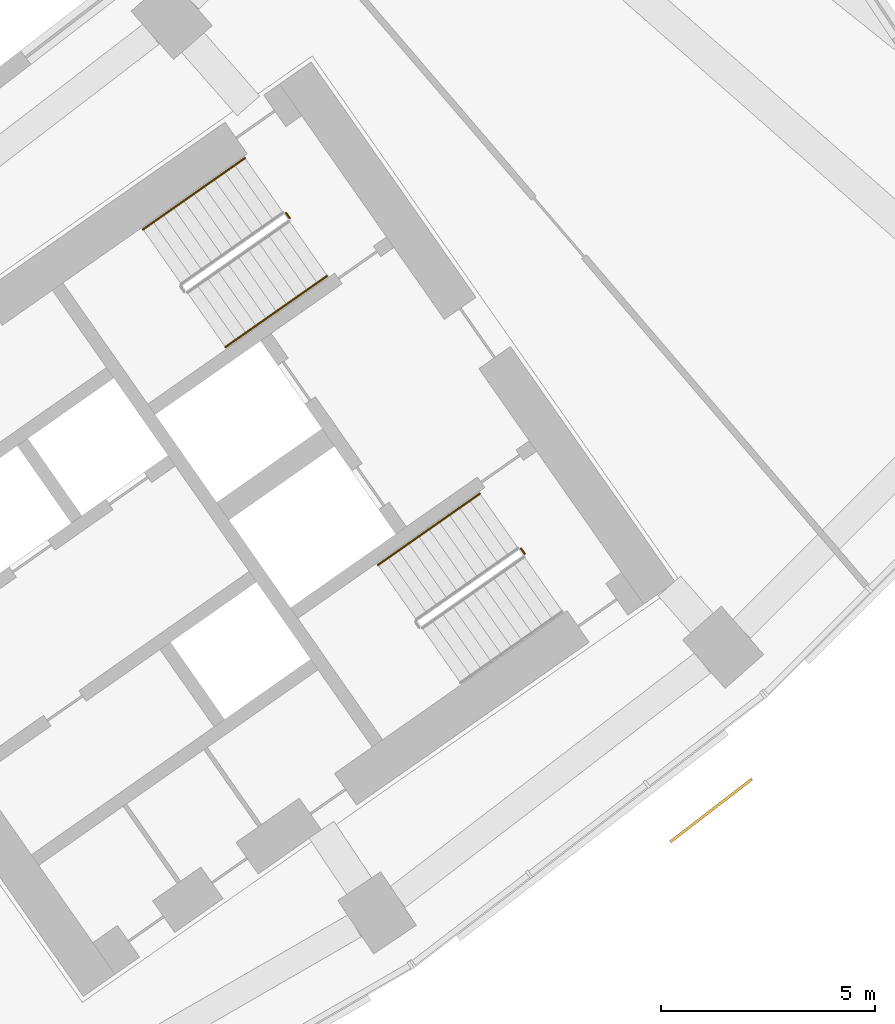
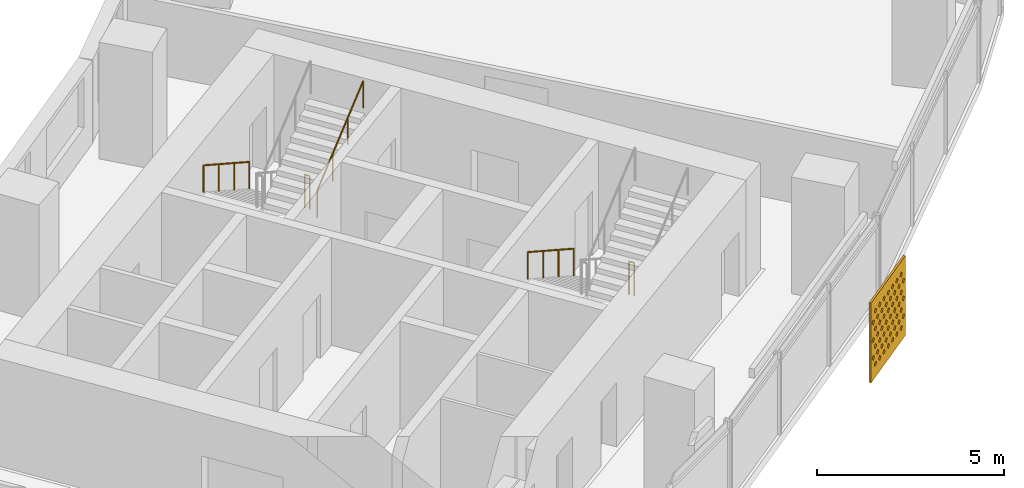
# One storey, part 29 of 29: 5 railings, 1 shading device.
"""IFC4 building model written with IfcOpenShell, lengths in metres."""

from ifc_helpers import new_model, si_unit, direction, frame, origin, origin_2d, place, context, subcontext, project, spatial, polyline, circle, outline, extrude, material, material_profile, profile_set, type_object, element, save


model = new_model("IFC4")

# Units and contexts
model_context = context("Model", 3, precision=1e-05, world=origin(), true_north=direction((0.0, 1.0)))
body_context = subcontext(model_context, "Body", "Model", "MODEL_VIEW")
ifc_project = project(units=[si_unit("LENGTHUNIT", "METRE"), si_unit("AREAUNIT", "SQUARE_METRE"), si_unit("VOLUMEUNIT", "CUBIC_METRE"), si_unit("PLANEANGLEUNIT", "RADIAN"), si_unit("MASSUNIT", "GRAM", prefix="KILO")], contexts=[model_context])

# Site, building, storey
site_placement = place(None, origin())
site = spatial("IfcSite", under=ifc_project, at=site_placement, CompositionType="ELEMENT")
building_placement = place(site_placement, origin())
building = spatial("IfcBuilding", under=site, at=building_placement, Name="Qamariyya Broadcast Tower", CompositionType="ELEMENT")
storey_placement = place(building_placement, frame((0.0, 0.0, 136.699951171875)))
storey = spatial("IfcBuildingStorey", under=building, at=storey_placement, Name="L31", CompositionType="ELEMENT", Elevation=136.699951171875)

# Shading device
ifc_material_1 = material(Name="Perforated glazed terracotta", Category="masonry")
ifc_material_profile = material_profile(ifc_material_1, outline(polyline([(-1.199951171875, -1.300048828125), (1.199951171875, -1.300048828125), (1.199951171875, 1.300048828125), (-1.199951171875, 1.300048828125), (-1.199951171875, -1.300048828125)]), holes=[polyline([(-0.81494140625, -0.86669921875), (-0.89990234375, -0.78173828125), (-0.985107421875, -0.86669921875), (-0.89990234375, -0.95166015625), (-0.81494140625, -0.86669921875)]), polyline([(-0.514892578125, -0.86669921875), (-0.60009765625, -0.78173828125), (-0.68505859375, -0.86669921875), (-0.60009765625, -0.95166015625), (-0.514892578125, -0.86669921875)]), polyline([(-0.215087890625, -0.86669921875), (-0.300048828125, -0.78173828125), (-0.385009765625, -0.86669921875), (-0.300048828125, -0.95166015625), (-0.215087890625, -0.86669921875)]), polyline([(0.0849609375, -0.86669921875), (0.0, -0.78173828125), (-0.0849609375, -0.86669921875), (0.0, -0.95166015625), (0.0849609375, -0.86669921875)]), polyline([(0.385009765625, -0.86669921875), (0.300048828125, -0.78173828125), (0.215087890625, -0.86669921875), (0.300048828125, -0.95166015625), (0.385009765625, -0.86669921875)]), polyline([(0.68505859375, -0.86669921875), (0.60009765625, -0.78173828125), (0.514892578125, -0.86669921875), (0.60009765625, -0.95166015625), (0.68505859375, -0.86669921875)]), polyline([(0.985107421875, -0.86669921875), (0.89990234375, -0.78173828125), (0.81494140625, -0.86669921875), (0.89990234375, -0.95166015625), (0.985107421875, -0.86669921875)]), polyline([(-0.965087890625, -0.577880859375), (-1.050048828125, -0.49267578125), (-1.135009765625, -0.577880859375), (-1.050048828125, -0.662841796875), (-0.965087890625, -0.577880859375)]), polyline([(-0.6650390625, -0.577880859375), (-0.75, -0.49267578125), (-0.8349609375, -0.577880859375), (-0.75, -0.662841796875), (-0.6650390625, -0.577880859375)]), polyline([(-0.364990234375, -0.577880859375), (-0.449951171875, -0.49267578125), (-0.534912109375, -0.577880859375), (-0.449951171875, -0.662841796875), (-0.364990234375, -0.577880859375)]), polyline([(-0.06494140625, -0.577880859375), (-0.14990234375, -0.49267578125), (-0.235107421875, -0.577880859375), (-0.14990234375, -0.662841796875), (-0.06494140625, -0.577880859375)]), polyline([(0.235107421875, -0.577880859375), (0.14990234375, -0.49267578125), (0.06494140625, -0.577880859375), (0.14990234375, -0.662841796875), (0.235107421875, -0.577880859375)]), polyline([(0.534912109375, -0.577880859375), (0.449951171875, -0.49267578125), (0.364990234375, -0.577880859375), (0.449951171875, -0.662841796875), (0.534912109375, -0.577880859375)]), polyline([(0.8349609375, -0.577880859375), (0.75, -0.49267578125), (0.6650390625, -0.577880859375), (0.75, -0.662841796875), (0.8349609375, -0.577880859375)]), polyline([(1.135009765625, -0.577880859375), (1.050048828125, -0.49267578125), (0.965087890625, -0.577880859375), (1.050048828125, -0.662841796875), (1.135009765625, -0.577880859375)]), polyline([(-0.81494140625, -0.288818359375), (-0.89990234375, -0.203857421875), (-0.985107421875, -0.288818359375), (-0.89990234375, -0.373779296875), (-0.81494140625, -0.288818359375)]), polyline([(-0.514892578125, -0.288818359375), (-0.60009765625, -0.203857421875), (-0.68505859375, -0.288818359375), (-0.60009765625, -0.373779296875), (-0.514892578125, -0.288818359375)]), polyline([(-0.215087890625, -0.288818359375), (-0.300048828125, -0.203857421875), (-0.385009765625, -0.288818359375), (-0.300048828125, -0.373779296875), (-0.215087890625, -0.288818359375)]), polyline([(0.0849609375, -0.288818359375), (0.0, -0.203857421875), (-0.0849609375, -0.288818359375), (0.0, -0.373779296875), (0.0849609375, -0.288818359375)]), polyline([(0.385009765625, -0.288818359375), (0.300048828125, -0.203857421875), (0.215087890625, -0.288818359375), (0.300048828125, -0.373779296875), (0.385009765625, -0.288818359375)]), polyline([(0.68505859375, -0.288818359375), (0.60009765625, -0.203857421875), (0.514892578125, -0.288818359375), (0.60009765625, -0.373779296875), (0.68505859375, -0.288818359375)]), polyline([(0.985107421875, -0.288818359375), (0.89990234375, -0.203857421875), (0.81494140625, -0.288818359375), (0.89990234375, -0.373779296875), (0.985107421875, -0.288818359375)]), polyline([(-0.965087890625, 0.0), (-1.050048828125, 0.0849609375), (-1.135009765625, 0.0), (-1.050048828125, -0.0849609375), (-0.965087890625, 0.0)]), polyline([(-0.6650390625, 0.0), (-0.75, 0.0849609375), (-0.8349609375, 0.0), (-0.75, -0.0849609375), (-0.6650390625, 0.0)]), polyline([(-0.364990234375, 0.0), (-0.449951171875, 0.0849609375), (-0.534912109375, 0.0), (-0.449951171875, -0.0849609375), (-0.364990234375, 0.0)]), polyline([(-0.06494140625, 0.0), (-0.14990234375, 0.0849609375), (-0.235107421875, 0.0), (-0.14990234375, -0.0849609375), (-0.06494140625, 0.0)]), polyline([(0.235107421875, 0.0), (0.14990234375, 0.0849609375), (0.06494140625, 0.0), (0.14990234375, -0.0849609375), (0.235107421875, 0.0)]), polyline([(0.534912109375, 0.0), (0.449951171875, 0.0849609375), (0.364990234375, 0.0), (0.449951171875, -0.0849609375), (0.534912109375, 0.0)]), polyline([(0.8349609375, 0.0), (0.75, 0.0849609375), (0.6650390625, 0.0), (0.75, -0.0849609375), (0.8349609375, 0.0)]), polyline([(1.135009765625, 0.0), (1.050048828125, 0.0849609375), (0.965087890625, 0.0), (1.050048828125, -0.0849609375), (1.135009765625, 0.0)]), polyline([(-0.81494140625, 0.288818359375), (-0.89990234375, 0.373779296875), (-0.985107421875, 0.288818359375), (-0.89990234375, 0.203857421875), (-0.81494140625, 0.288818359375)]), polyline([(-0.514892578125, 0.288818359375), (-0.60009765625, 0.373779296875), (-0.68505859375, 0.288818359375), (-0.60009765625, 0.203857421875), (-0.514892578125, 0.288818359375)]), polyline([(-0.215087890625, 0.288818359375), (-0.300048828125, 0.373779296875), (-0.385009765625, 0.288818359375), (-0.300048828125, 0.203857421875), (-0.215087890625, 0.288818359375)]), polyline([(0.0849609375, 0.288818359375), (0.0, 0.373779296875), (-0.0849609375, 0.288818359375), (0.0, 0.203857421875), (0.0849609375, 0.288818359375)]), polyline([(0.385009765625, 0.288818359375), (0.300048828125, 0.373779296875), (0.215087890625, 0.288818359375), (0.300048828125, 0.203857421875), (0.385009765625, 0.288818359375)]), polyline([(0.68505859375, 0.288818359375), (0.60009765625, 0.373779296875), (0.514892578125, 0.288818359375), (0.60009765625, 0.203857421875), (0.68505859375, 0.288818359375)]), polyline([(0.985107421875, 0.288818359375), (0.89990234375, 0.373779296875), (0.81494140625, 0.288818359375), (0.89990234375, 0.203857421875), (0.985107421875, 0.288818359375)]), polyline([(-0.965087890625, 0.577880859375), (-1.050048828125, 0.662841796875), (-1.135009765625, 0.577880859375), (-1.050048828125, 0.49267578125), (-0.965087890625, 0.577880859375)]), polyline([(-0.6650390625, 0.577880859375), (-0.75, 0.662841796875), (-0.8349609375, 0.577880859375), (-0.75, 0.49267578125), (-0.6650390625, 0.577880859375)]), polyline([(-0.364990234375, 0.577880859375), (-0.449951171875, 0.662841796875), (-0.534912109375, 0.577880859375), (-0.449951171875, 0.49267578125), (-0.364990234375, 0.577880859375)]), polyline([(-0.06494140625, 0.577880859375), (-0.14990234375, 0.662841796875), (-0.235107421875, 0.577880859375), (-0.14990234375, 0.49267578125), (-0.06494140625, 0.577880859375)]), polyline([(0.235107421875, 0.577880859375), (0.14990234375, 0.662841796875), (0.06494140625, 0.577880859375), (0.14990234375, 0.49267578125), (0.235107421875, 0.577880859375)]), polyline([(0.534912109375, 0.577880859375), (0.449951171875, 0.662841796875), (0.364990234375, 0.577880859375), (0.449951171875, 0.49267578125), (0.534912109375, 0.577880859375)]), polyline([(0.8349609375, 0.577880859375), (0.75, 0.662841796875), (0.6650390625, 0.577880859375), (0.75, 0.49267578125), (0.8349609375, 0.577880859375)]), polyline([(1.135009765625, 0.577880859375), (1.050048828125, 0.662841796875), (0.965087890625, 0.577880859375), (1.050048828125, 0.49267578125), (1.135009765625, 0.577880859375)]), polyline([(-0.81494140625, 0.86669921875), (-0.89990234375, 0.95166015625), (-0.985107421875, 0.86669921875), (-0.89990234375, 0.78173828125), (-0.81494140625, 0.86669921875)]), polyline([(-0.514892578125, 0.86669921875), (-0.60009765625, 0.95166015625), (-0.68505859375, 0.86669921875), (-0.60009765625, 0.78173828125), (-0.514892578125, 0.86669921875)]), polyline([(-0.215087890625, 0.86669921875), (-0.300048828125, 0.95166015625), (-0.385009765625, 0.86669921875), (-0.300048828125, 0.78173828125), (-0.215087890625, 0.86669921875)]), polyline([(0.0849609375, 0.86669921875), (0.0, 0.95166015625), (-0.0849609375, 0.86669921875), (0.0, 0.78173828125), (0.0849609375, 0.86669921875)]), polyline([(0.385009765625, 0.86669921875), (0.300048828125, 0.95166015625), (0.215087890625, 0.86669921875), (0.300048828125, 0.78173828125), (0.385009765625, 0.86669921875)]), polyline([(0.68505859375, 0.86669921875), (0.60009765625, 0.95166015625), (0.514892578125, 0.86669921875), (0.60009765625, 0.78173828125), (0.68505859375, 0.86669921875)]), polyline([(0.985107421875, 0.86669921875), (0.89990234375, 0.95166015625), (0.81494140625, 0.86669921875), (0.89990234375, 0.78173828125), (0.985107421875, 0.86669921875)])]))
ifc_profile_set = profile_set([ifc_material_profile], Name="Perforated glazed terracotta")
shading_device_type = type_object("IfcShadingDeviceType", Name="Perforated terracotta screen 2400 x 2600", PredefinedType="USERDEFINED", material=ifc_profile_set)
shading_device_placement = place(storey_placement, frame((50.96484375, -62.235595703125, 1.35009765625), z_axis=(0.60971076085, -0.792623989105, 0.0), x_axis=(0.792623989105, 0.60971076085, 0.0)))
element("IfcShadingDevice", 1, at=shading_device_placement, inside=storey, type_object=shading_device_type, Name="e-scr-L31-14-2", ObjectType="SCREEN", PredefinedType="USERDEFINED", context=body_context, shape_type="SweptSolid", body=[
    extrude(outline(polyline([(-1.199951171875, -1.300048828125), (1.199951171875, -1.300048828125), (1.199951171875, 1.300048828125), (-1.199951171875, 1.300048828125), (-1.199951171875, -1.300048828125)]), holes=[polyline([(-0.81494140625, -0.86669921875), (-0.89990234375, -0.78173828125), (-0.985107421875, -0.86669921875), (-0.89990234375, -0.95166015625), (-0.81494140625, -0.86669921875)]), polyline([(-0.514892578125, -0.86669921875), (-0.60009765625, -0.78173828125), (-0.68505859375, -0.86669921875), (-0.60009765625, -0.95166015625), (-0.514892578125, -0.86669921875)]), polyline([(-0.215087890625, -0.86669921875), (-0.300048828125, -0.78173828125), (-0.385009765625, -0.86669921875), (-0.300048828125, -0.95166015625), (-0.215087890625, -0.86669921875)]), polyline([(0.0849609375, -0.86669921875), (0.0, -0.78173828125), (-0.0849609375, -0.86669921875), (0.0, -0.95166015625), (0.0849609375, -0.86669921875)]), polyline([(0.385009765625, -0.86669921875), (0.300048828125, -0.78173828125), (0.215087890625, -0.86669921875), (0.300048828125, -0.95166015625), (0.385009765625, -0.86669921875)]), polyline([(0.68505859375, -0.86669921875), (0.60009765625, -0.78173828125), (0.514892578125, -0.86669921875), (0.60009765625, -0.95166015625), (0.68505859375, -0.86669921875)]), polyline([(0.985107421875, -0.86669921875), (0.89990234375, -0.78173828125), (0.81494140625, -0.86669921875), (0.89990234375, -0.95166015625), (0.985107421875, -0.86669921875)]), polyline([(-0.965087890625, -0.577880859375), (-1.050048828125, -0.49267578125), (-1.135009765625, -0.577880859375), (-1.050048828125, -0.662841796875), (-0.965087890625, -0.577880859375)]), polyline([(-0.6650390625, -0.577880859375), (-0.75, -0.49267578125), (-0.8349609375, -0.577880859375), (-0.75, -0.662841796875), (-0.6650390625, -0.577880859375)]), polyline([(-0.364990234375, -0.577880859375), (-0.449951171875, -0.49267578125), (-0.534912109375, -0.577880859375), (-0.449951171875, -0.662841796875), (-0.364990234375, -0.577880859375)]), polyline([(-0.06494140625, -0.577880859375), (-0.14990234375, -0.49267578125), (-0.235107421875, -0.577880859375), (-0.14990234375, -0.662841796875), (-0.06494140625, -0.577880859375)]), polyline([(0.235107421875, -0.577880859375), (0.14990234375, -0.49267578125), (0.06494140625, -0.577880859375), (0.14990234375, -0.662841796875), (0.235107421875, -0.577880859375)]), polyline([(0.534912109375, -0.577880859375), (0.449951171875, -0.49267578125), (0.364990234375, -0.577880859375), (0.449951171875, -0.662841796875), (0.534912109375, -0.577880859375)]), polyline([(0.8349609375, -0.577880859375), (0.75, -0.49267578125), (0.6650390625, -0.577880859375), (0.75, -0.662841796875), (0.8349609375, -0.577880859375)]), polyline([(1.135009765625, -0.577880859375), (1.050048828125, -0.49267578125), (0.965087890625, -0.577880859375), (1.050048828125, -0.662841796875), (1.135009765625, -0.577880859375)]), polyline([(-0.81494140625, -0.288818359375), (-0.89990234375, -0.203857421875), (-0.985107421875, -0.288818359375), (-0.89990234375, -0.373779296875), (-0.81494140625, -0.288818359375)]), polyline([(-0.514892578125, -0.288818359375), (-0.60009765625, -0.203857421875), (-0.68505859375, -0.288818359375), (-0.60009765625, -0.373779296875), (-0.514892578125, -0.288818359375)]), polyline([(-0.215087890625, -0.288818359375), (-0.300048828125, -0.203857421875), (-0.385009765625, -0.288818359375), (-0.300048828125, -0.373779296875), (-0.215087890625, -0.288818359375)]), polyline([(0.0849609375, -0.288818359375), (0.0, -0.203857421875), (-0.0849609375, -0.288818359375), (0.0, -0.373779296875), (0.0849609375, -0.288818359375)]), polyline([(0.385009765625, -0.288818359375), (0.300048828125, -0.203857421875), (0.215087890625, -0.288818359375), (0.300048828125, -0.373779296875), (0.385009765625, -0.288818359375)]), polyline([(0.68505859375, -0.288818359375), (0.60009765625, -0.203857421875), (0.514892578125, -0.288818359375), (0.60009765625, -0.373779296875), (0.68505859375, -0.288818359375)]), polyline([(0.985107421875, -0.288818359375), (0.89990234375, -0.203857421875), (0.81494140625, -0.288818359375), (0.89990234375, -0.373779296875), (0.985107421875, -0.288818359375)]), polyline([(-0.965087890625, 0.0), (-1.050048828125, 0.0849609375), (-1.135009765625, 0.0), (-1.050048828125, -0.0849609375), (-0.965087890625, 0.0)]), polyline([(-0.6650390625, 0.0), (-0.75, 0.0849609375), (-0.8349609375, 0.0), (-0.75, -0.0849609375), (-0.6650390625, 0.0)]), polyline([(-0.364990234375, 0.0), (-0.449951171875, 0.0849609375), (-0.534912109375, 0.0), (-0.449951171875, -0.0849609375), (-0.364990234375, 0.0)]), polyline([(-0.06494140625, 0.0), (-0.14990234375, 0.0849609375), (-0.235107421875, 0.0), (-0.14990234375, -0.0849609375), (-0.06494140625, 0.0)]), polyline([(0.235107421875, 0.0), (0.14990234375, 0.0849609375), (0.06494140625, 0.0), (0.14990234375, -0.0849609375), (0.235107421875, 0.0)]), polyline([(0.534912109375, 0.0), (0.449951171875, 0.0849609375), (0.364990234375, 0.0), (0.449951171875, -0.0849609375), (0.534912109375, 0.0)]), polyline([(0.8349609375, 0.0), (0.75, 0.0849609375), (0.6650390625, 0.0), (0.75, -0.0849609375), (0.8349609375, 0.0)]), polyline([(1.135009765625, 0.0), (1.050048828125, 0.0849609375), (0.965087890625, 0.0), (1.050048828125, -0.0849609375), (1.135009765625, 0.0)]), polyline([(-0.81494140625, 0.288818359375), (-0.89990234375, 0.373779296875), (-0.985107421875, 0.288818359375), (-0.89990234375, 0.203857421875), (-0.81494140625, 0.288818359375)]), polyline([(-0.514892578125, 0.288818359375), (-0.60009765625, 0.373779296875), (-0.68505859375, 0.288818359375), (-0.60009765625, 0.203857421875), (-0.514892578125, 0.288818359375)]), polyline([(-0.215087890625, 0.288818359375), (-0.300048828125, 0.373779296875), (-0.385009765625, 0.288818359375), (-0.300048828125, 0.203857421875), (-0.215087890625, 0.288818359375)]), polyline([(0.0849609375, 0.288818359375), (0.0, 0.373779296875), (-0.0849609375, 0.288818359375), (0.0, 0.203857421875), (0.0849609375, 0.288818359375)]), polyline([(0.385009765625, 0.288818359375), (0.300048828125, 0.373779296875), (0.215087890625, 0.288818359375), (0.300048828125, 0.203857421875), (0.385009765625, 0.288818359375)]), polyline([(0.68505859375, 0.288818359375), (0.60009765625, 0.373779296875), (0.514892578125, 0.288818359375), (0.60009765625, 0.203857421875), (0.68505859375, 0.288818359375)]), polyline([(0.985107421875, 0.288818359375), (0.89990234375, 0.373779296875), (0.81494140625, 0.288818359375), (0.89990234375, 0.203857421875), (0.985107421875, 0.288818359375)]), polyline([(-0.965087890625, 0.577880859375), (-1.050048828125, 0.662841796875), (-1.135009765625, 0.577880859375), (-1.050048828125, 0.49267578125), (-0.965087890625, 0.577880859375)]), polyline([(-0.6650390625, 0.577880859375), (-0.75, 0.662841796875), (-0.8349609375, 0.577880859375), (-0.75, 0.49267578125), (-0.6650390625, 0.577880859375)]), polyline([(-0.364990234375, 0.577880859375), (-0.449951171875, 0.662841796875), (-0.534912109375, 0.577880859375), (-0.449951171875, 0.49267578125), (-0.364990234375, 0.577880859375)]), polyline([(-0.06494140625, 0.577880859375), (-0.14990234375, 0.662841796875), (-0.235107421875, 0.577880859375), (-0.14990234375, 0.49267578125), (-0.06494140625, 0.577880859375)]), polyline([(0.235107421875, 0.577880859375), (0.14990234375, 0.662841796875), (0.06494140625, 0.577880859375), (0.14990234375, 0.49267578125), (0.235107421875, 0.577880859375)]), polyline([(0.534912109375, 0.577880859375), (0.449951171875, 0.662841796875), (0.364990234375, 0.577880859375), (0.449951171875, 0.49267578125), (0.534912109375, 0.577880859375)]), polyline([(0.8349609375, 0.577880859375), (0.75, 0.662841796875), (0.6650390625, 0.577880859375), (0.75, 0.49267578125), (0.8349609375, 0.577880859375)]), polyline([(1.135009765625, 0.577880859375), (1.050048828125, 0.662841796875), (0.965087890625, 0.577880859375), (1.050048828125, 0.49267578125), (1.135009765625, 0.577880859375)]), polyline([(-0.81494140625, 0.86669921875), (-0.89990234375, 0.95166015625), (-0.985107421875, 0.86669921875), (-0.89990234375, 0.78173828125), (-0.81494140625, 0.86669921875)]), polyline([(-0.514892578125, 0.86669921875), (-0.60009765625, 0.95166015625), (-0.68505859375, 0.86669921875), (-0.60009765625, 0.78173828125), (-0.514892578125, 0.86669921875)]), polyline([(-0.215087890625, 0.86669921875), (-0.300048828125, 0.95166015625), (-0.385009765625, 0.86669921875), (-0.300048828125, 0.78173828125), (-0.215087890625, 0.86669921875)]), polyline([(0.0849609375, 0.86669921875), (0.0, 0.95166015625), (-0.0849609375, 0.86669921875), (0.0, 0.78173828125), (0.0849609375, 0.86669921875)]), polyline([(0.385009765625, 0.86669921875), (0.300048828125, 0.95166015625), (0.215087890625, 0.86669921875), (0.300048828125, 0.78173828125), (0.385009765625, 0.86669921875)]), polyline([(0.68505859375, 0.86669921875), (0.60009765625, 0.95166015625), (0.514892578125, 0.86669921875), (0.60009765625, 0.78173828125), (0.68505859375, 0.86669921875)]), polyline([(0.985107421875, 0.86669921875), (0.89990234375, 0.95166015625), (0.81494140625, 0.86669921875), (0.89990234375, 0.78173828125), (0.985107421875, 0.86669921875)])]), origin(), (0.0, 0.0, 1.0), 0.06005859375),
])

# Railings
ifc_material_2 = material(Name="Painted steel", Category="steel")
railing_type_1 = type_object("IfcRailingType", Name="Stair guard", PredefinedType="GUARDRAIL", material=ifc_material_2)
railing_1_placement = place(storey_placement, frame((41.072998046875, -48.332275390625, 0.0)))
element("IfcRailing", 2, at=railing_1_placement, inside=storey, type_object=railing_type_1, Name="L31 ST-E2 stair guard 3", PredefinedType="GUARDRAIL", context=body_context, shape_type="SweptSolid", body=[
    extrude(circle(Radius=0.02392578125, at=origin_2d()), frame((0.0, 0.0, 1.076171875), z_axis=(0.572588637393, -0.819842821722, 0.0), x_axis=(0.819842821722, 0.572588637393, 0.0)), (0.0, 0.0, 1.0), 0.150146484375),
    extrude(circle(Radius=0.02099609375, at=origin_2d()), origin(), (0.0, 0.0, 1.0), 1.052001953125),
    extrude(circle(Radius=0.02099609375, at=origin_2d()), frame((0.0859375, -0.123046875, 0.0)), (0.0, 0.0, 1.0), 1.052001953125),
])
railing_2_placement = place(storey_placement, frame((46.550537109375, -56.1552734375, 0.0)))
element("IfcRailing", 3, at=railing_2_placement, inside=storey, type_object=railing_type_1, Name="L31 ST-E1 stair guard 3", PredefinedType="GUARDRAIL", context=body_context, shape_type="SweptSolid", body=[
    extrude(circle(Radius=0.02392578125, at=origin_2d()), frame((0.0, 0.0, 1.076171875), z_axis=(0.574444878118, -0.818543268254, 0.0), x_axis=(0.818543268254, 0.574444878118, 0.0)), (0.0, 0.0, 1.0), 0.150146484375),
    extrude(circle(Radius=0.02099609375, at=origin_2d()), origin(), (0.0, 0.0, 1.0), 1.052001953125),
    extrude(circle(Radius=0.02099609375, at=origin_2d()), frame((0.086181640625, -0.122802734375, 0.0)), (0.0, 0.0, 1.0), 1.052001953125),
])
ifc_material_3 = material(Name="Stainless steel", Category="steel")
railing_type_2 = type_object("IfcRailingType", Name="Stair handrail", PredefinedType="HANDRAIL", material=ifc_material_3)
railing_3_placement = place(storey_placement, frame((40.1142578125, -47.05029296875, 0.1728515625)))
element("IfcRailing", 4, at=railing_3_placement, inside=storey, type_object=railing_type_2, Name="L31 ST-E2 stair handrail 1", PredefinedType="HANDRAIL", context=body_context, shape_type="SweptSolid", body=[
    extrude(circle(Radius=0.02392578125, at=origin_2d()), frame((0.0, 0.0, 0.8759765625), z_axis=(-0.703745009021, -0.492838488332, 0.511715923826), x_axis=(0.573631830683, -0.819113253969, 0.0)), (0.0, 0.0, 1.0), 3.37548828125),
    extrude(circle(Radius=0.02099609375, at=origin_2d()), origin(), (0.0, 0.0, 1.0), 0.851806640625),
    extrude(circle(Radius=0.02099609375, at=origin_2d()), frame((-0.791748046875, -0.554443359375, 0.57568359375)), (0.0, 0.0, 1.0), 0.851806640625),
    extrude(circle(Radius=0.02099609375, at=origin_2d()), frame((-1.583740234375, -1.109130859375, 1.151611328125)), (0.0, 0.0, 1.0), 0.851806640625),
    extrude(circle(Radius=0.02099609375, at=origin_2d()), frame((-2.37548828125, -1.66357421875, 1.727294921875)), (0.0, 0.0, 1.0), 0.851806640625),
])
railing_4_placement = place(storey_placement, frame((39.66015625, -51.4580078125, 2.07275390625)))
element("IfcRailing", 5, at=railing_4_placement, inside=storey, type_object=railing_type_2, Name="L31 ST-E2 stair handrail 2", PredefinedType="HANDRAIL", context=body_context, shape_type="SweptSolid", body=[
    extrude(circle(Radius=0.02392578125, at=origin_2d()), frame((0.0, 0.0, 0.8759765625), z_axis=(0.703745009021, 0.492838488332, 0.511715923826), x_axis=(-0.573631830683, 0.819113253969, 0.0)), (0.0, 0.0, 1.0), 3.37548828125),
    extrude(circle(Radius=0.02099609375, at=origin_2d()), origin(), (0.0, 0.0, 1.0), 0.851806640625),
    extrude(circle(Radius=0.02099609375, at=origin_2d()), frame((0.791748046875, 0.554443359375, 0.57568359375)), (0.0, 0.0, 1.0), 0.851806640625),
    extrude(circle(Radius=0.02099609375, at=origin_2d()), frame((1.583740234375, 1.109130859375, 1.151611328125)), (0.0, 0.0, 1.0), 0.851806640625),
    extrude(circle(Radius=0.02099609375, at=origin_2d()), frame((2.37548828125, 1.66357421875, 1.727294921875)), (0.0, 0.0, 1.0), 0.851806640625),
])
railing_5_placement = place(storey_placement, frame((45.591796875, -54.873291015625, 0.1728515625)))
element("IfcRailing", 6, at=railing_5_placement, inside=storey, type_object=railing_type_2, Name="L31 ST-E1 stair handrail 1", PredefinedType="HANDRAIL", context=body_context, shape_type="SweptSolid", body=[
    extrude(circle(Radius=0.02392578125, at=origin_2d()), frame((0.0, 0.0, 0.8759765625), z_axis=(-0.703770094002, -0.492783725636, 0.511734163933), x_axis=(0.573575343427, -0.819152809562, 0.0)), (0.0, 0.0, 1.0), 3.37548828125),
    extrude(circle(Radius=0.02099609375, at=origin_2d()), origin(), (0.0, 0.0, 1.0), 0.851806640625),
    extrude(circle(Radius=0.02099609375, at=origin_2d()), frame((-0.791748046875, -0.554443359375, 0.57568359375)), (0.0, 0.0, 1.0), 0.851806640625),
    extrude(circle(Radius=0.02099609375, at=origin_2d()), frame((-1.583740234375, -1.10888671875, 1.151611328125)), (0.0, 0.0, 1.0), 0.851806640625),
    extrude(circle(Radius=0.02099609375, at=origin_2d()), frame((-2.37548828125, -1.663330078125, 1.727294921875)), (0.0, 0.0, 1.0), 0.851806640625),
])

save(model, "model.ifc")
